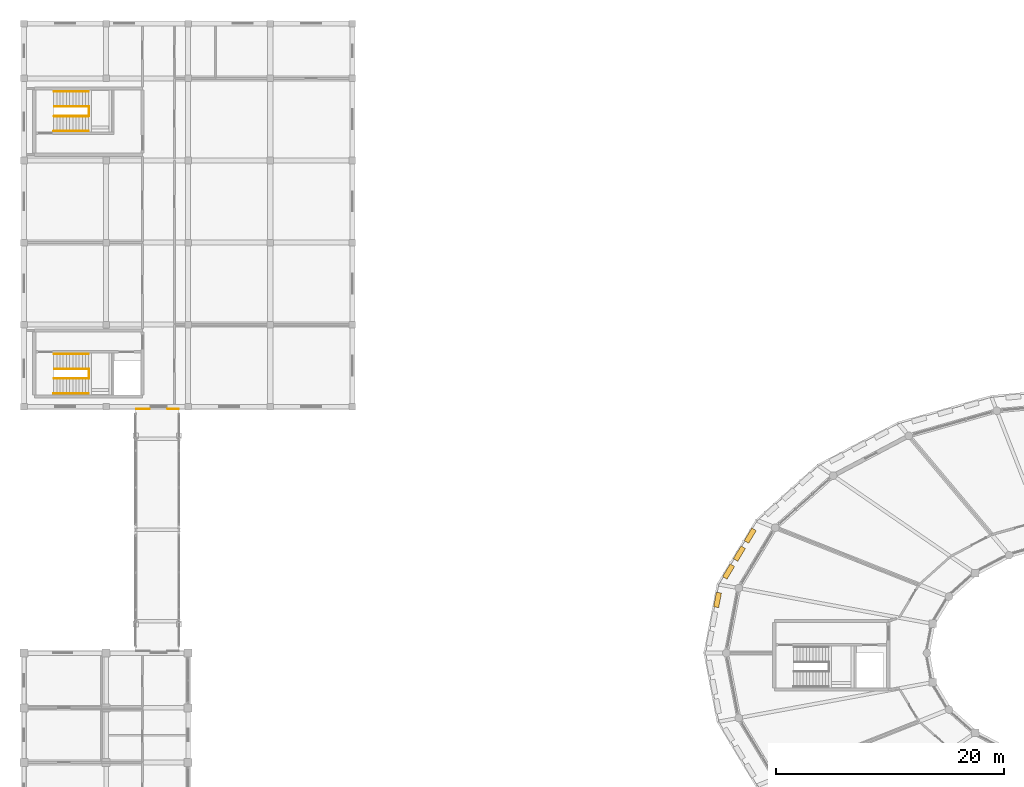
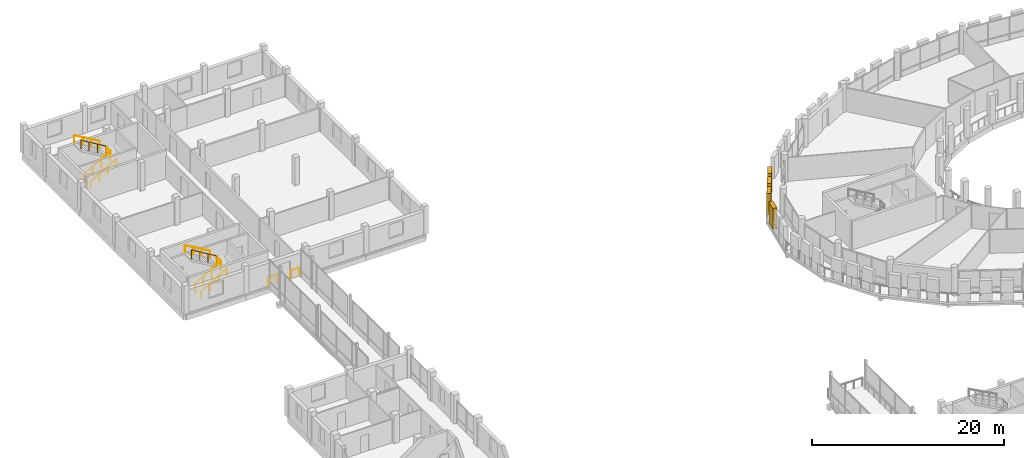
# One storey, part 125 of 128: 12 railings, 4 shading devices.
"""IFC4 building model written with IfcOpenShell, lengths in metres."""

import ifcopenshell
import ifcopenshell.guid

model = None  # the IFC model being written
_history = None  # IfcOwnerHistory: only IFC2X3 demands one
_inside = {}  # id of a spatial element -> (the spatial element, [elements in it])
_under = {}  # id of a project, library or spatial element -> (it, [spatial elements below it])
_declared = {}  # id of a project -> (the project, [libraries it declares])
_typed = {}  # id of a type object -> (the type object, [elements of that type])
_made_of = {}  # id of a material, layer set ... -> (it, [elements and type objects made of it])


def new_model(schema):
    """Start an empty IFC model of exactly this schema.

    Asked for "IFC4X3", IfcOpenShell would pick the latest addendum, in which some entities
    have other attributes; the version numbers below select the first issue.
    IFC2X3 requires an IfcOwnerHistory on every rooted entity: one is made here for all.
    """
    global model, _history
    if schema == "IFC4X3":
        model = ifcopenshell.file(schema_version=(4, 3, 0, 0))
    else:
        model = ifcopenshell.file(schema=schema)
    _inside.clear()
    _under.clear()
    _declared.clear()
    _typed.clear()
    _made_of.clear()
    _history = None
    if model.schema == "IFC2X3":
        org = make("IfcOrganization", Name="unknown")
        user = make(
            "IfcPersonAndOrganization",
            ThePerson=make("IfcPerson", FamilyName="unknown"),
            TheOrganization=org,
        )
        app = make(
            "IfcApplication",
            ApplicationDeveloper=org,
            Version="unknown",
            ApplicationFullName="unknown",
            ApplicationIdentifier="unknown",
        )
        _history = make(
            "IfcOwnerHistory",
            OwningUser=user,
            OwningApplication=app,
            ChangeAction="ADDED",
            CreationDate=0,
        )
    return model


def make(cls, **values):
    """One entity of the class cls with the attributes given. An attribute that is None is left unset."""
    return model.create_entity(
        cls, **{name: value for name, value in values.items() if value is not None}
    )


def rooted(cls, **values):
    """An entity with a GlobalId (a new one), such as an element, a storey or a relation."""
    return make(cls, GlobalId=ifcopenshell.guid.new(), OwnerHistory=_history, **values)


def si_unit(unit_type, name, prefix=None):
    """IfcSIUnit, for example si_unit("LENGTHUNIT", "METRE", prefix="MILLI")."""
    return make("IfcSIUnit", UnitType=unit_type, Prefix=prefix, Name=name)


def assignment(units):
    """IfcUnitAssignment: the units of a project."""
    return None if units is None else make("IfcUnitAssignment", Units=units)


def point(xyz):
    """IfcCartesianPoint."""
    return None if xyz is None else make("IfcCartesianPoint", Coordinates=xyz)


def direction(xyz):
    """IfcDirection."""
    return None if xyz is None else make("IfcDirection", DirectionRatios=xyz)


def frame(location, z_axis=None, x_axis=None):
    """IfcAxis2Placement3D, a coordinate frame: its origin and axes. An axis left out is left unset."""
    return make(
        "IfcAxis2Placement3D",
        Location=point(location),
        Axis=direction(z_axis),
        RefDirection=direction(x_axis),
    )


def frame_2d(location, x_axis=None):
    """IfcAxis2Placement2D, a coordinate frame in the plane: its origin and x axis."""
    return make(
        "IfcAxis2Placement2D", Location=point(location), RefDirection=direction(x_axis)
    )


def origin():
    """The frame at (0, 0, 0) with its axes left unset."""
    return frame((0.0, 0.0, 0.0))


def origin_2d():
    """The frame at (0, 0) in the plane with its x axis left unset."""
    return frame_2d((0.0, 0.0))


def place(relative_to, where):
    """IfcLocalPlacement: puts the frame where relative to a parent placement (None: the world)."""
    return make(
        "IfcLocalPlacement", PlacementRelTo=relative_to, RelativePlacement=where
    )


def context(
    kind, dimensions, precision=None, world=None, true_north=None, identifier=None
):
    """IfcGeometricRepresentationContext, for example the 3D "Model" context."""
    return make(
        "IfcGeometricRepresentationContext",
        ContextIdentifier=identifier,
        ContextType=kind,
        CoordinateSpaceDimension=dimensions,
        Precision=precision,
        WorldCoordinateSystem=world,
        TrueNorth=true_north,
    )


def subcontext(parent, identifier, kind, view, scale=None):
    """IfcGeometricRepresentationSubContext, for example "Body" below "Model"."""
    return make(
        "IfcGeometricRepresentationSubContext",
        ContextIdentifier=identifier,
        ContextType=kind,
        ParentContext=parent,
        TargetScale=scale,
        TargetView=view,
    )


def project(units=None, contexts=None):
    """IfcProject with its units and contexts."""
    return rooted(
        "IfcProject",
        Name="project",
        RepresentationContexts=contexts,
        UnitsInContext=assignment(units),
    )


def spatial(cls, under=None, at=None, **own):
    """A site, building, storey or space (cls), placed at a placement, below another one or the project."""
    s = rooted(cls, ObjectPlacement=at, **own)
    if under is not None:
        _under.setdefault(under.id(), (under, []))[1].append(s)
    return s


def profile(cls, at=None, kind="AREA", **sizes):
    """A parametric profile (cls). Its sizes go by their IFC names, for example OverallWidth=200.0."""
    return make(cls, ProfileType=kind, Position=at, **sizes)


def rectangle(**sizes):
    """IfcRectangleProfileDef."""
    return profile("IfcRectangleProfileDef", **sizes)


def circle(**sizes):
    """IfcCircleProfileDef."""
    return profile("IfcCircleProfileDef", **sizes)


def extrude(swept, where, along, depth):
    """IfcExtrudedAreaSolid: the profile swept, set in the frame where, extruded along a direction by depth."""
    return make(
        "IfcExtrudedAreaSolid",
        SweptArea=swept,
        Position=where,
        ExtrudedDirection=direction(along),
        Depth=depth,
    )


def shape(context_of_items, identifier, shape_type, items):
    """IfcShapeRepresentation: the items that make up one representation, for example the "Body"."""
    return make(
        "IfcShapeRepresentation",
        ContextOfItems=context_of_items,
        RepresentationIdentifier=identifier,
        RepresentationType=shape_type,
        Items=items,
    )


def material(Name=None, Category=None):
    """IfcMaterial."""
    return make("IfcMaterial", Name=Name, Category=Category)


def made_of(thing, what):
    """Note that an element or type object is made of a material, layer set ...; save() writes the relation."""
    if what is not None:
        _made_of.setdefault(what.id(), (what, []))[1].append(thing)
    return thing


def type_object(cls, material=None, **own):
    """A type object (cls), such as IfcWallType, which elements share."""
    return made_of(rooted(cls, **own), material)


def element(
    cls,
    number,
    at=None,
    inside=None,
    cuts=None,
    type_object=None,
    material=None,
    context=None,
    identifier="Body",
    shape_type=None,
    held_by="IfcProductDefinitionShape",
    body=None,
    shapes=None,
    **own,
):
    """One element of the class cls, such as IfcWall. Its Tag is "e" and its number.

    at: its placement. inside: the storey or other place that contains it. cuts: it is an
    opening in that element (IfcRelVoidsElement). A single representation is given by context,
    identifier, shape_type and body (its items); several are given by shapes. held_by: the class
    of the entity that holds the representations. save() writes the other relations.
    """
    e = rooted(cls, Tag="e%d" % number, ObjectPlacement=at, **own)
    if body is not None:
        shapes = [shape(context, identifier, shape_type, body)]
    if shapes is not None:
        e.Representation = make(held_by, Representations=shapes)
    if inside is not None:
        _inside.setdefault(inside.id(), (inside, []))[1].append(e)
    if cuts is not None:
        rooted(
            "IfcRelVoidsElement", RelatingBuildingElement=cuts, RelatedOpeningElement=e
        )
    if type_object is not None:
        _typed.setdefault(type_object.id(), (type_object, []))[1].append(e)
    return made_of(e, material)


def aggregate(whole, parts):
    """IfcRelAggregates: a whole, such as a stair, and the parts it consists of."""
    return rooted("IfcRelAggregates", RelatingObject=whole, RelatedObjects=parts)


def save(model, path):
    """Write the relations noted so far, then the file.

    IfcRelAggregates (storeys below a building ...), IfcRelContainedInSpatialStructure (elements
    in a storey), IfcRelDefinesByType, IfcRelAssociatesMaterial and IfcRelDeclares: one each for
    every whole, place, type object, material and project.
    """
    for whole, parts in _under.values():
        aggregate(whole, parts)
    for where, things in _inside.values():
        rooted(
            "IfcRelContainedInSpatialStructure",
            RelatedElements=things,
            RelatingStructure=where,
        )
    for kind, things in _typed.values():
        rooted("IfcRelDefinesByType", RelatedObjects=things, RelatingType=kind)
    for what, things in _made_of.values():
        rooted("IfcRelAssociatesMaterial", RelatedObjects=things, RelatingMaterial=what)
    for by, libraries in _declared.values():
        rooted("IfcRelDeclares", RelatingContext=by, RelatedDefinitions=libraries)
    model.write(path)


model = new_model("IFC4")

# Units and contexts
model_context = context("Model", 3, precision=1e-05, world=origin(), true_north=direction((0.0, 1.0)))
body_context = subcontext(model_context, "Body", "Model", "MODEL_VIEW")
ifc_project = project(units=[si_unit("LENGTHUNIT", "METRE"), si_unit("AREAUNIT", "SQUARE_METRE"), si_unit("VOLUMEUNIT", "CUBIC_METRE"), si_unit("PLANEANGLEUNIT", "RADIAN"), si_unit("MASSUNIT", "GRAM", prefix="KILO")], contexts=[model_context])

# Site, building, storey
site_placement = place(None, origin())
site = spatial("IfcSite", under=ifc_project, at=site_placement, CompositionType="ELEMENT")
building_placement = place(site_placement, origin())
building = spatial("IfcBuilding", under=site, at=building_placement, Name="Zornivar Specialist Clinic", CompositionType="ELEMENT")
storey_placement = place(building_placement, frame((0.0, 0.0, 4.5)))
storey = spatial("IfcBuildingStorey", under=building, at=storey_placement, Name="L01", CompositionType="ELEMENT", Elevation=4.5)

# Railings
ifc_material_1 = material(Name="Painted Steel and Oiled Timber Balustrade", Category="steel")
railing_type_1 = type_object("IfcRailingType", Name="GRD-EXT-BALUST-1100", PredefinedType="BALUSTRADE", material=ifc_material_1)
railing_1_placement = place(storey_placement, frame((9.860107421875, 79.02001953125, 0.0)))
element("IfcRailing", 1, at=railing_1_placement, inside=storey, type_object=railing_type_1, Name="rail:BR2:L01:endN_W", PredefinedType="BALUSTRADE", context=body_context, shape_type="SweptSolid", body=[
    extrude(circle(Radius=0.02392578125, at=origin_2d()), frame((0.0, 0.0, 1.076171875), z_axis=(1.0, 0.0, 0.0), x_axis=(0.0, 1.0, 0.0)), (0.0, 0.0, 1.0), 1.139892578125),
    extrude(circle(Radius=0.02099609375, at=origin_2d()), origin(), (0.0, 0.0, 1.0), 1.052001953125),
    extrude(circle(Radius=0.02099609375, at=origin_2d()), frame((1.139892578125, 0.0, 0.0)), (0.0, 0.0, 1.0), 1.052001953125),
])
railing_2_placement = place(storey_placement, frame((12.60009765625, 79.02001953125, 0.0)))
element("IfcRailing", 2, at=railing_2_placement, inside=storey, type_object=railing_type_1, Name="rail:BR2:L01:endN_E", PredefinedType="BALUSTRADE", context=body_context, shape_type="SweptSolid", body=[
    extrude(circle(Radius=0.02392578125, at=origin_2d()), frame((0.0, 0.0, 1.076171875), z_axis=(1.0, 0.0, 0.0), x_axis=(0.0, 1.0, 0.0)), (0.0, 0.0, 1.0), 0.93994140625),
    extrude(circle(Radius=0.02099609375, at=origin_2d()), origin(), (0.0, 0.0, 1.0), 1.052001953125),
    extrude(circle(Radius=0.02099609375, at=origin_2d()), frame((0.93994140625, 0.0, 0.0)), (0.0, 0.0, 1.0), 1.052001953125),
])
ifc_material_2 = material(Name="Brushed Stainless Steel Stair Guardrail", Category="steel")
railing_type_2 = type_object("IfcRailingType", Name="GRD-INT-STAIR-1100", PredefinedType="GUARDRAIL", material=ifc_material_2)
railing_3_placement = place(storey_placement, frame((2.639892578125, 81.679931640625, 0.162109375)))
element("IfcRailing", 3, at=railing_3_placement, inside=storey, type_object=railing_type_2, Name="stair:C7:L01:grd1", PredefinedType="GUARDRAIL", context=body_context, shape_type="SweptSolid", body=[
    extrude(circle(Radius=0.02392578125, at=origin_2d()), frame((0.0, 0.0, 1.076171875), z_axis=(0.859025016629, 0.0, 0.511933609764), x_axis=(0.0, 1.0, 0.0)), (0.0, 0.0, 1.0), 3.492431640625),
    extrude(circle(Radius=0.02099609375, at=origin_2d()), origin(), (0.0, 0.0, 1.0), 1.052001953125),
    extrude(circle(Radius=0.02099609375, at=origin_2d()), frame((1.0, 0.0, 0.595947265625)), (0.0, 0.0, 1.0), 1.052001953125),
    extrude(circle(Radius=0.02099609375, at=origin_2d()), frame((2.0, 0.0, 1.19189453125)), (0.0, 0.0, 1.0), 1.052001953125),
    extrude(circle(Radius=0.02099609375, at=origin_2d()), frame((3.0, 0.0, 1.787841796875)), (0.0, 0.0, 1.0), 1.052001953125),
])
railing_4_placement = place(storey_placement, frame((5.639892578125, 82.52001953125, 2.112060546875)))
element("IfcRailing", 4, at=railing_4_placement, inside=storey, type_object=railing_type_2, Name="stair:C7:L01:grd2", PredefinedType="GUARDRAIL", context=body_context, shape_type="SweptSolid", body=[
    extrude(circle(Radius=0.02392578125, at=origin_2d()), frame((0.0, 0.0, 1.076171875), z_axis=(-0.857511521609, 0.0, 0.514464760998), x_axis=(0.0, -1.0, 0.0)), (0.0, 0.0, 1.0), 3.47509765625),
    extrude(circle(Radius=0.02099609375, at=origin_2d()), origin(), (0.0, 0.0, 1.0), 1.052001953125),
    extrude(circle(Radius=0.02099609375, at=origin_2d()), frame((-0.993408203125, 0.0, 0.595947265625)), (0.0, 0.0, 1.0), 1.052001953125),
    extrude(circle(Radius=0.02099609375, at=origin_2d()), frame((-1.986572265625, 0.0, 1.19189453125)), (0.0, 0.0, 1.0), 1.052001953125),
    extrude(circle(Radius=0.02099609375, at=origin_2d()), frame((-2.97998046875, 0.0, 1.787841796875)), (0.0, 0.0, 1.0), 1.052001953125),
])
railing_5_placement = place(storey_placement, frame((5.7099609375, 81.679931640625, 1.949951171875)))
element("IfcRailing", 5, at=railing_5_placement, inside=storey, type_object=railing_type_2, Name="stair:C7:L01:grdl", PredefinedType="GUARDRAIL", context=body_context, shape_type="SweptSolid", body=[
    extrude(circle(Radius=0.02392578125, at=origin_2d()), frame((0.0, 0.0, 1.076171875), z_axis=(0.0, 1.0, 0.0), x_axis=(-1.0, 0.0, 0.0)), (0.0, 0.0, 1.0), 0.840087890625),
    extrude(circle(Radius=0.02099609375, at=origin_2d()), origin(), (0.0, 0.0, 1.0), 1.052001953125),
    extrude(circle(Radius=0.02099609375, at=origin_2d()), frame((0.0, 0.840087890625, 0.0)), (0.0, 0.0, 1.0), 1.052001953125),
])
railing_6_placement = place(storey_placement, frame((2.639892578125, 104.679931640625, 0.162109375)))
element("IfcRailing", 6, at=railing_6_placement, inside=storey, type_object=railing_type_2, Name="stair:C8:L01:grd1", PredefinedType="GUARDRAIL", context=body_context, shape_type="SweptSolid", body=[
    extrude(circle(Radius=0.02392578125, at=origin_2d()), frame((0.0, 0.0, 1.076171875), z_axis=(0.859025016629, 0.0, 0.511933609764), x_axis=(0.0, 1.0, 0.0)), (0.0, 0.0, 1.0), 3.492431640625),
    extrude(circle(Radius=0.02099609375, at=origin_2d()), origin(), (0.0, 0.0, 1.0), 1.052001953125),
    extrude(circle(Radius=0.02099609375, at=origin_2d()), frame((1.0, 0.0, 0.595947265625)), (0.0, 0.0, 1.0), 1.052001953125),
    extrude(circle(Radius=0.02099609375, at=origin_2d()), frame((2.0, 0.0, 1.19189453125)), (0.0, 0.0, 1.0), 1.052001953125),
    extrude(circle(Radius=0.02099609375, at=origin_2d()), frame((3.0, 0.0, 1.787841796875)), (0.0, 0.0, 1.0), 1.052001953125),
])
railing_7_placement = place(storey_placement, frame((5.639892578125, 105.52001953125, 2.112060546875)))
element("IfcRailing", 7, at=railing_7_placement, inside=storey, type_object=railing_type_2, Name="stair:C8:L01:grd2", PredefinedType="GUARDRAIL", context=body_context, shape_type="SweptSolid", body=[
    extrude(circle(Radius=0.02392578125, at=origin_2d()), frame((0.0, 0.0, 1.076171875), z_axis=(-0.857511521609, 0.0, 0.514464760998), x_axis=(0.0, -1.0, 0.0)), (0.0, 0.0, 1.0), 3.47509765625),
    extrude(circle(Radius=0.02099609375, at=origin_2d()), origin(), (0.0, 0.0, 1.0), 1.052001953125),
    extrude(circle(Radius=0.02099609375, at=origin_2d()), frame((-0.993408203125, 0.0, 0.595947265625)), (0.0, 0.0, 1.0), 1.052001953125),
    extrude(circle(Radius=0.02099609375, at=origin_2d()), frame((-1.986572265625, 0.0, 1.19189453125)), (0.0, 0.0, 1.0), 1.052001953125),
    extrude(circle(Radius=0.02099609375, at=origin_2d()), frame((-2.97998046875, 0.0, 1.787841796875)), (0.0, 0.0, 1.0), 1.052001953125),
])
railing_8_placement = place(storey_placement, frame((5.7099609375, 104.679931640625, 1.949951171875)))
element("IfcRailing", 8, at=railing_8_placement, inside=storey, type_object=railing_type_2, Name="stair:C8:L01:grdl", PredefinedType="GUARDRAIL", context=body_context, shape_type="SweptSolid", body=[
    extrude(circle(Radius=0.02392578125, at=origin_2d()), frame((0.0, 0.0, 1.076171875), z_axis=(0.0, 1.0, 0.0), x_axis=(-1.0, 0.0, 0.0)), (0.0, 0.0, 1.0), 0.840087890625),
    extrude(circle(Radius=0.02099609375, at=origin_2d()), origin(), (0.0, 0.0, 1.0), 1.052001953125),
    extrude(circle(Radius=0.02099609375, at=origin_2d()), frame((0.0, 0.840087890625, 0.0)), (0.0, 0.0, 1.0), 1.052001953125),
])
ifc_material_3 = material(Name="Brushed Stainless Steel Continuous Handrail", Category="steel")
railing_type_3 = type_object("IfcRailingType", Name="HRL-STAIR-0920", PredefinedType="HANDRAIL", material=ifc_material_3)
railing_9_placement = place(storey_placement, frame((2.60009765625, 80.3701171875, 0.162109375)))
element("IfcRailing", 9, at=railing_9_placement, inside=storey, type_object=railing_type_3, Name="stair:C7:L01:hr1", PredefinedType="HANDRAIL", context=body_context, shape_type="SweptSolid", body=[
    extrude(circle(Radius=0.02392578125, at=origin_2d()), frame((0.0, 0.0, 0.89599609375), z_axis=(0.864843680186, 0.0, 0.502041242172), x_axis=(0.0, 1.0, 0.0)), (0.0, 0.0, 1.0), 3.56103515625),
    extrude(circle(Radius=0.02099609375, at=origin_2d()), origin(), (0.0, 0.0, 1.0), 0.871826171875),
    extrude(circle(Radius=0.02099609375, at=origin_2d()), frame((1.026611328125, 0.0, 0.595947265625)), (0.0, 0.0, 1.0), 0.871826171875),
    extrude(circle(Radius=0.02099609375, at=origin_2d()), frame((2.05322265625, 0.0, 1.19189453125)), (0.0, 0.0, 1.0), 0.871826171875),
    extrude(circle(Radius=0.02099609375, at=origin_2d()), frame((3.079833984375, 0.0, 1.787841796875)), (0.0, 0.0, 1.0), 0.871826171875),
])
railing_10_placement = place(storey_placement, frame((5.679931640625, 83.830078125, 2.112060546875)))
element("IfcRailing", 10, at=railing_10_placement, inside=storey, type_object=railing_type_3, Name="stair:C7:L01:hr2", PredefinedType="HANDRAIL", context=body_context, shape_type="SweptSolid", body=[
    extrude(circle(Radius=0.02392578125, at=origin_2d()), frame((0.0, 0.0, 0.89599609375), z_axis=(-0.863416372897, 0.0, 0.504491989047), x_axis=(0.0, -1.0, 0.0)), (0.0, 0.0, 1.0), 3.5439453125),
    extrude(circle(Radius=0.02099609375, at=origin_2d()), origin(), (0.0, 0.0, 1.0), 0.871826171875),
    extrude(circle(Radius=0.02099609375, at=origin_2d()), frame((-1.02001953125, 0.0, 0.595947265625)), (0.0, 0.0, 1.0), 0.871826171875),
    extrude(circle(Radius=0.02099609375, at=origin_2d()), frame((-2.039794921875, 0.0, 1.19189453125)), (0.0, 0.0, 1.0), 0.871826171875),
    extrude(circle(Radius=0.02099609375, at=origin_2d()), frame((-3.059814453125, 0.0, 1.787841796875)), (0.0, 0.0, 1.0), 0.871826171875),
])
railing_11_placement = place(storey_placement, frame((2.60009765625, 103.3701171875, 0.162109375)))
element("IfcRailing", 11, at=railing_11_placement, inside=storey, type_object=railing_type_3, Name="stair:C8:L01:hr1", PredefinedType="HANDRAIL", context=body_context, shape_type="SweptSolid", body=[
    extrude(circle(Radius=0.02392578125, at=origin_2d()), frame((0.0, 0.0, 0.89599609375), z_axis=(0.864843680186, 0.0, 0.502041242172), x_axis=(0.0, 1.0, 0.0)), (0.0, 0.0, 1.0), 3.56103515625),
    extrude(circle(Radius=0.02099609375, at=origin_2d()), origin(), (0.0, 0.0, 1.0), 0.871826171875),
    extrude(circle(Radius=0.02099609375, at=origin_2d()), frame((1.026611328125, 0.0, 0.595947265625)), (0.0, 0.0, 1.0), 0.871826171875),
    extrude(circle(Radius=0.02099609375, at=origin_2d()), frame((2.05322265625, 0.0, 1.19189453125)), (0.0, 0.0, 1.0), 0.871826171875),
    extrude(circle(Radius=0.02099609375, at=origin_2d()), frame((3.079833984375, 0.0, 1.787841796875)), (0.0, 0.0, 1.0), 0.871826171875),
])
railing_12_placement = place(storey_placement, frame((5.679931640625, 106.830078125, 2.112060546875)))
element("IfcRailing", 12, at=railing_12_placement, inside=storey, type_object=railing_type_3, Name="stair:C8:L01:hr2", PredefinedType="HANDRAIL", context=body_context, shape_type="SweptSolid", body=[
    extrude(circle(Radius=0.02392578125, at=origin_2d()), frame((0.0, 0.0, 0.89599609375), z_axis=(-0.863416372897, 0.0, 0.504491989047), x_axis=(0.0, -1.0, 0.0)), (0.0, 0.0, 1.0), 3.5439453125),
    extrude(circle(Radius=0.02099609375, at=origin_2d()), origin(), (0.0, 0.0, 1.0), 0.871826171875),
    extrude(circle(Radius=0.02099609375, at=origin_2d()), frame((-1.02001953125, 0.0, 0.595947265625)), (0.0, 0.0, 1.0), 0.871826171875),
    extrude(circle(Radius=0.02099609375, at=origin_2d()), frame((-2.039794921875, 0.0, 1.19189453125)), (0.0, 0.0, 1.0), 0.871826171875),
    extrude(circle(Radius=0.02099609375, at=origin_2d()), frame((-3.059814453125, 0.0, 1.787841796875)), (0.0, 0.0, 1.0), 0.871826171875),
])

# Shading devices
ifc_material_4 = material(Name="Oiled European Larch Timber Louvre Shutter", Category="wood")
shading_device_type = type_object("IfcShadingDeviceType", Name="SHD-DRUM-SHUTTER-450", PredefinedType="SHUTTER", material=ifc_material_4)
for number, where, z_axis, x_axis, name in (
    (13, (63.693115234375, 67.89404296875, 0.0), (0.0, 0.0, 1.0), (-0.516018019467, -0.856577727696, 0.0), "shutter:V1:L01:c10:0"),
    (14, (62.743896484375, 66.319091796875, 0.0), (0.0, 0.0, 1.0), (-0.516018019467, -0.856577727696, 0.0), "shutter:V1:L01:c10:1"),
    (15, (61.7958984375, 64.743896484375, 0.0), (0.0, 0.0, 1.0), (-0.516018019467, -0.856577727696, 0.0), "shutter:V1:L01:c10:2"),
    (16, (60.826904296875, 62.260986328125, 0.0), (0.0, 0.0, 1.0), (-0.188098987302, -0.982150075587, 0.0), "shutter:V1:L01:c11:0"),
):
    element("IfcShadingDevice", number, at=place(storey_placement, frame(where, z_axis=z_axis, x_axis=x_axis)), inside=storey, type_object=shading_device_type, Name=name, PredefinedType="SHUTTER", context=body_context, shape_type="SweptSolid", body=[
        extrude(rectangle(XDim=1.300048828125, YDim=0.449951171875, at=origin_2d()), origin(), (0.0, 0.0, 1.0), 2.64990234375),
    ])

save(model, "model.ifc")
